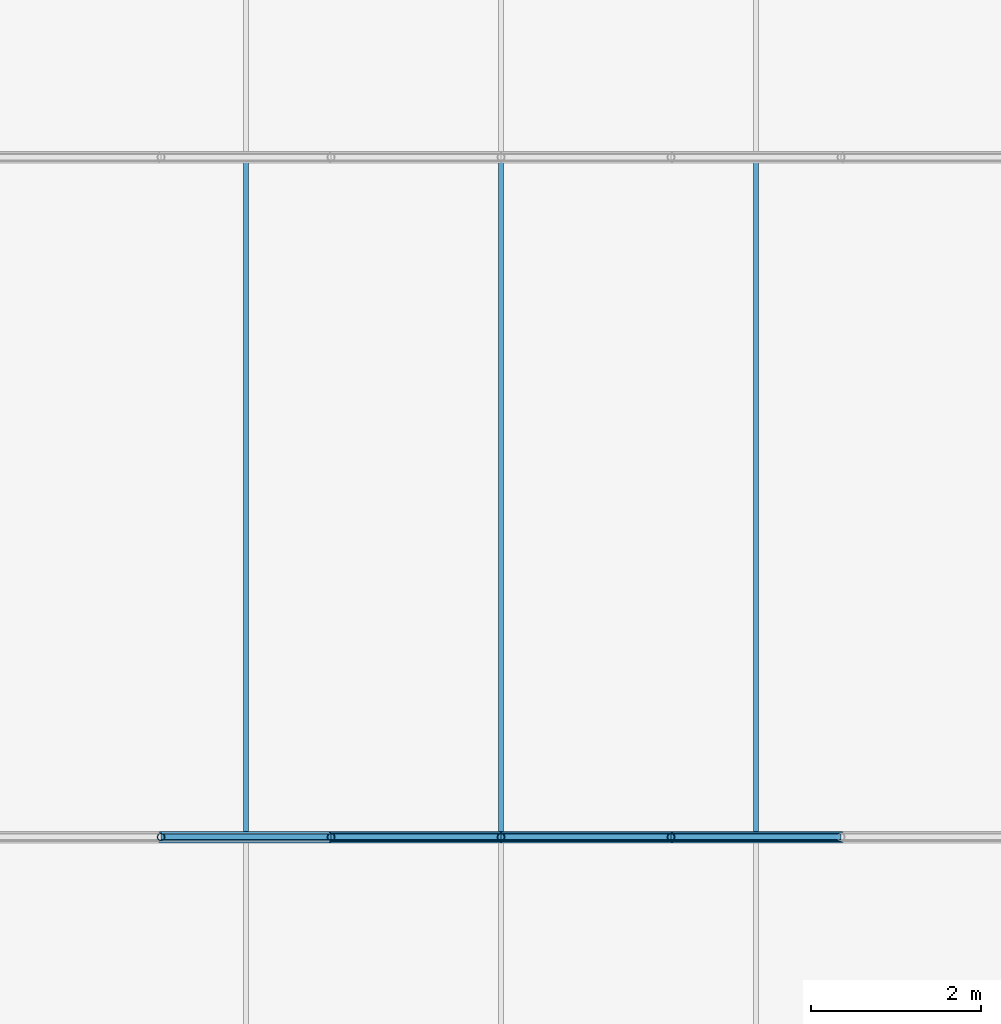
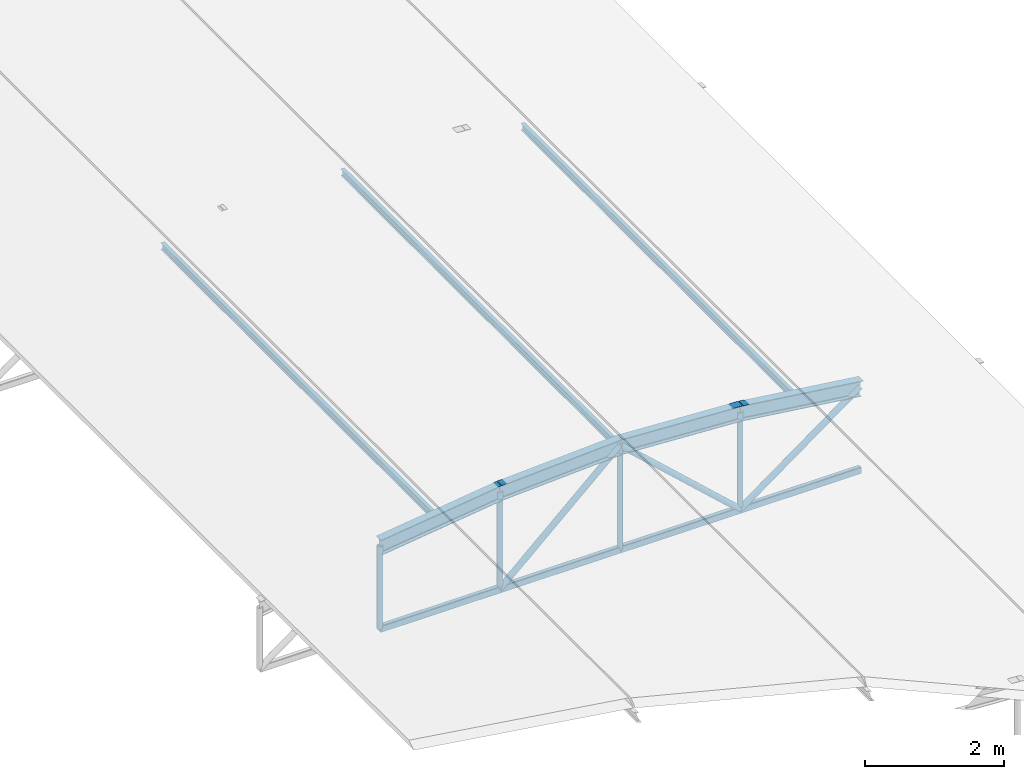
# One storey, part 23 of 54: 18 members.
"""IFC4 building model written with IfcOpenShell, lengths in metres."""

from ifc_helpers import new_model, si_unit, derived_unit, direction, frame, origin, origin_2d, place, context, subcontext, project, spatial, hollow_rectangle, hollow_circle, i_section, extrude, material, material_profile, profile_set, type_object, element, save


model = new_model("IFC4")

# Units and contexts
model_context = context("Model", 3, precision=1e-05, world=origin(), true_north=direction((0.0, 1.0)))
body_context = subcontext(model_context, "Body", "Model", "MODEL_VIEW")
ifc_project = project(units=[si_unit("LENGTHUNIT", "METRE"), si_unit("AREAUNIT", "SQUARE_METRE"), si_unit("VOLUMEUNIT", "CUBIC_METRE"), si_unit("PLANEANGLEUNIT", "RADIAN"), si_unit("MASSUNIT", "GRAM", prefix="KILO"), derived_unit("THERMALTRANSMITTANCEUNIT", [(si_unit("POWERUNIT", "WATT"), 1), (si_unit("LENGTHUNIT", "METRE"), -2), (si_unit("THERMODYNAMICTEMPERATUREUNIT", "KELVIN"), -1)])], contexts=[model_context])

# Site, building, storey
site_placement = place(None, origin())
site = spatial("IfcSite", under=ifc_project, at=site_placement, CompositionType="ELEMENT")
building_placement = place(site_placement, origin())
building = spatial("IfcBuilding", under=site, at=building_placement, Name="Keldorne Ridge Multi-Sports Centre", CompositionType="ELEMENT")
storey_placement = place(building_placement, frame((0.0, 0.0, 22.199951171875)))
storey = spatial("IfcBuildingStorey", under=building, at=storey_placement, Name="ROOF", CompositionType="ELEMENT", Elevation=22.199951171875)

# Members
ifc_material = material(Name="Steel S355", Category="steel")
ifc_material_profile_1 = material_profile(ifc_material, i_section(OverallWidth=0.06396484375, OverallDepth=0.1201171875, WebThickness=0.00439453125, FlangeThickness=0.00634765625, FilletRadius=0.007080078125, at=origin_2d()), Name="IPE 120")
ifc_profile_set_1 = profile_set([ifc_material_profile_1], Name="Steel S355")
member_type_1 = type_object("IfcMemberType", Name="MEM-PR-05", PredefinedType="PURLIN", material=ifc_profile_set_1)
for number, where, z_axis, x_axis, name in (
    (1, (87.0, 38.0, -12.179931640625), (0.0, 1.0, 0.0), (-1.0, 0.0, 0.0), "Public Passage canopy purlin 87.5"),
    (2, (90.0, 38.0, -11.929931640625), (0.0, 1.0, 0.0), (-1.0, 0.0, 0.0), "Public Passage canopy purlin 90.5"),
    (3, (93.0, 38.0, -12.179931640625), (0.0, 1.0, 0.0), (-1.0, 0.0, 0.0), "Public Passage canopy purlin 93.5"),
):
    element("IfcMember", number, at=place(storey_placement, frame(where, z_axis=z_axis, x_axis=x_axis)), inside=storey, type_object=member_type_1, Name=name, PredefinedType="PURLIN", context=body_context, shape_type="SweptSolid", body=[
        extrude(i_section(OverallWidth=0.06396484375, OverallDepth=0.1201171875, WebThickness=0.00439453125, FlangeThickness=0.00634765625, FilletRadius=0.007080078125, at=origin_2d()), origin(), (0.0, 0.0, 1.0), 8.0),
    ])
ifc_material_profile_2 = material_profile(ifc_material, i_section(OverallWidth=0.135009765625, OverallDepth=0.27001953125, WebThickness=0.006591796875, FlangeThickness=0.01025390625, FilletRadius=0.014892578125, at=origin_2d()), Name="IPE 270")
ifc_profile_set_2 = profile_set([ifc_material_profile_2], Name="Steel S355")
member_type_2 = type_object("IfcMemberType", Name="MEM-RF-02", PredefinedType="RAFTER", material=ifc_profile_set_2)
member_1_placement = place(storey_placement, frame((86.0, 38.0, -12.260009765625), z_axis=(0.991654998325, 0.0, 0.128919991848), x_axis=(0.0, 1.0, 0.0)))
element("IfcMember", 4, at=member_1_placement, inside=storey, type_object=member_type_2, Name="Public Passage bowstring arch top chord 05.2", PredefinedType="RAFTER", context=body_context, shape_type="SweptSolid", body=[
    extrude(i_section(OverallWidth=0.135009765625, OverallDepth=0.27001953125, WebThickness=0.006591796875, FlangeThickness=0.01025390625, FilletRadius=0.014892578125, at=origin_2d()), origin(), (0.0, 0.0, 1.0), 2.016845703125),
])
for number, where, z_axis, x_axis, name in (
    (5, (88.0, 38.0, -12.0), (0.998487980686, 0.0, 0.054970468663), (0.0, 1.0, 0.0), "Public Passage bowstring arch top chord 05.3"),
    (6, (90.0, 38.0, -11.889892578125), (0.998487980686, 0.0, -0.054970468663), (0.0, 1.0, 0.0), "Public Passage bowstring arch top chord 05.4"),
):
    element("IfcMember", number, at=place(storey_placement, frame(where, z_axis=z_axis, x_axis=x_axis)), inside=storey, type_object=member_type_2, Name=name, PredefinedType="RAFTER", context=body_context, shape_type="SweptSolid", body=[
        extrude(i_section(OverallWidth=0.135009765625, OverallDepth=0.27001953125, WebThickness=0.006591796875, FlangeThickness=0.01025390625, FilletRadius=0.014892578125, at=origin_2d()), origin(), (0.0, 0.0, 1.0), 2.0029296875),
    ])
member_2_placement = place(storey_placement, frame((92.0, 38.0, -12.0), z_axis=(0.991654998325, 0.0, -0.128919991848), x_axis=(0.0, 1.0, 0.0)))
element("IfcMember", 7, at=member_2_placement, inside=storey, type_object=member_type_2, Name="Public Passage bowstring arch top chord 05.5", PredefinedType="RAFTER", context=body_context, shape_type="SweptSolid", body=[
    extrude(i_section(OverallWidth=0.135009765625, OverallDepth=0.27001953125, WebThickness=0.006591796875, FlangeThickness=0.01025390625, FilletRadius=0.014892578125, at=origin_2d()), origin(), (0.0, 0.0, 1.0), 2.016845703125),
])
ifc_material_profile_3 = material_profile(ifc_material, hollow_rectangle(XDim=0.080078125, YDim=0.1201171875, WallThickness=0.008056640625, InnerFilletRadius=0.008056640625, OuterFilletRadius=0.01611328125, at=origin_2d()), Name="RHS 120x80x8")
ifc_profile_set_3 = profile_set([ifc_material_profile_3], Name="Steel S355")
member_type_3 = type_object("IfcMemberType", Name="MEM-TC-07", PredefinedType="CHORD", material=ifc_profile_set_3)
for number, where, z_axis, x_axis, name in (
    (8, (86.0, 38.0, -13.719970703125), (1.0, 0.0, 0.0), (0.0, 1.0, 0.0), "Public Passage bowstring tie chord 05.2"),
    (9, (88.0, 38.0, -13.719970703125), (1.0, 0.0, 0.0), (0.0, 1.0, 0.0), "Public Passage bowstring tie chord 05.3"),
    (10, (90.0, 38.0, -13.719970703125), (1.0, 0.0, 0.0), (0.0, 1.0, 0.0), "Public Passage bowstring tie chord 05.4"),
    (11, (92.0, 38.0, -13.719970703125), (1.0, 0.0, 0.0), (0.0, 1.0, 0.0), "Public Passage bowstring tie chord 05.5"),
):
    element("IfcMember", number, at=place(storey_placement, frame(where, z_axis=z_axis, x_axis=x_axis)), inside=storey, type_object=member_type_3, Name=name, PredefinedType="CHORD", context=body_context, shape_type="SweptSolid", body=[
        extrude(hollow_rectangle(XDim=0.080078125, YDim=0.1201171875, WallThickness=0.008056640625, InnerFilletRadius=0.008056640625, OuterFilletRadius=0.01611328125, at=origin_2d()), origin(), (0.0, 0.0, 1.0), 2.0),
    ])
ifc_material_profile_4 = material_profile(ifc_material, hollow_circle(Radius=0.05078125, WallThickness=0.00634765625, at=origin_2d()), Name="CHS 101.6x6.3")
ifc_profile_set_4 = profile_set([ifc_material_profile_4], Name="Steel S355")
member_type_4 = type_object("IfcMemberType", Name="MEM-TD-05", PredefinedType="BRACE", material=ifc_profile_set_4)
for number, where, z_axis, x_axis, name in (
    (12, (88.0, 38.0, -13.719970703125), (0.737751969913, 0.0, 0.675071870907), (0.0, 1.0, 0.0), "Public Passage bowstring web diagonal 05.3"),
    (13, (90.0, 38.0, -11.889892578125), (0.737751969913, 0.0, -0.675071870907), (0.0, 1.0, 0.0), "Public Passage bowstring web diagonal 05.4"),
):
    element("IfcMember", number, at=place(storey_placement, frame(where, z_axis=z_axis, x_axis=x_axis)), inside=storey, type_object=member_type_4, Name=name, PredefinedType="BRACE", context=body_context, shape_type="SweptSolid", body=[
        extrude(hollow_circle(Radius=0.05078125, WallThickness=0.00634765625, at=origin_2d()), origin(), (0.0, 0.0, 1.0), 2.7109375),
    ])
member_3_placement = place(storey_placement, frame((92.0, 38.0, -13.719970703125), z_axis=(0.8076945033, 0.0, 0.589601212125), x_axis=(0.0, 1.0, 0.0)))
element("IfcMember", 14, at=member_3_placement, inside=storey, type_object=member_type_4, Name="Public Passage bowstring web diagonal 05.5", PredefinedType="BRACE", context=body_context, shape_type="SweptSolid", body=[
    extrude(hollow_circle(Radius=0.05078125, WallThickness=0.00634765625, at=origin_2d()), origin(), (0.0, 0.0, 1.0), 2.47607421875),
])
ifc_material_profile_5 = material_profile(ifc_material, hollow_circle(Radius=0.04443359375, WallThickness=0.0048828125, at=origin_2d()), Name="CHS 88.9x5")
ifc_profile_set_5 = profile_set([ifc_material_profile_5], Name="Steel S355")
member_type_5 = type_object("IfcMemberType", Name="MEM-TV-07", PredefinedType="STRUT", material=ifc_profile_set_5)
member_4_placement = place(storey_placement, frame((86.0, 38.0, -13.719970703125), z_axis=(0.0, 0.0, 1.0), x_axis=(1.0, 0.0, 0.0)))
element("IfcMember", 15, at=member_4_placement, inside=storey, type_object=member_type_5, Name="Public Passage bowstring hanger 05.2", PredefinedType="STRUT", context=body_context, shape_type="SweptSolid", body=[
    extrude(hollow_circle(Radius=0.04443359375, WallThickness=0.0048828125, at=origin_2d()), origin(), (0.0, 0.0, 1.0), 1.4599609375),
])
member_5_placement = place(storey_placement, frame((88.0, 38.0, -13.719970703125), z_axis=(0.0, 0.0, 1.0), x_axis=(1.0, 0.0, 0.0)))
element("IfcMember", 16, at=member_5_placement, inside=storey, type_object=member_type_5, Name="Public Passage bowstring hanger 05.3", PredefinedType="STRUT", context=body_context, shape_type="SweptSolid", body=[
    extrude(hollow_circle(Radius=0.04443359375, WallThickness=0.0048828125, at=origin_2d()), origin(), (0.0, 0.0, 1.0), 1.719970703125),
])
member_6_placement = place(storey_placement, frame((90.0, 38.0, -13.719970703125), z_axis=(0.0, 0.0, 1.0), x_axis=(1.0, 0.0, 0.0)))
element("IfcMember", 17, at=member_6_placement, inside=storey, type_object=member_type_5, Name="Public Passage bowstring hanger 05.4", PredefinedType="STRUT", context=body_context, shape_type="SweptSolid", body=[
    extrude(hollow_circle(Radius=0.04443359375, WallThickness=0.0048828125, at=origin_2d()), origin(), (0.0, 0.0, 1.0), 1.830078125),
])
member_7_placement = place(storey_placement, frame((92.0, 38.0, -13.719970703125), z_axis=(0.0, 0.0, 1.0), x_axis=(1.0, 0.0, 0.0)))
element("IfcMember", 18, at=member_7_placement, inside=storey, type_object=member_type_5, Name="Public Passage bowstring hanger 05.5", PredefinedType="STRUT", context=body_context, shape_type="SweptSolid", body=[
    extrude(hollow_circle(Radius=0.04443359375, WallThickness=0.0048828125, at=origin_2d()), origin(), (0.0, 0.0, 1.0), 1.719970703125),
])

save(model, "model.ifc")
